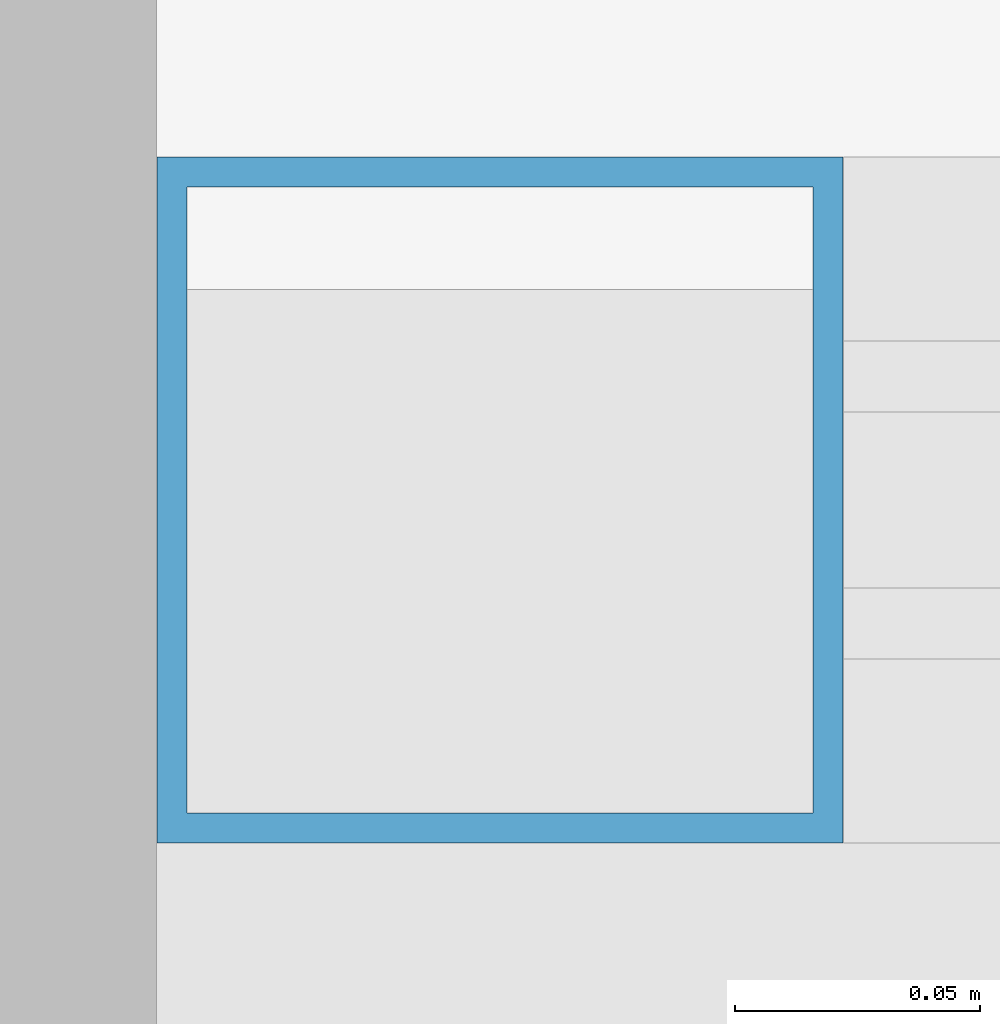
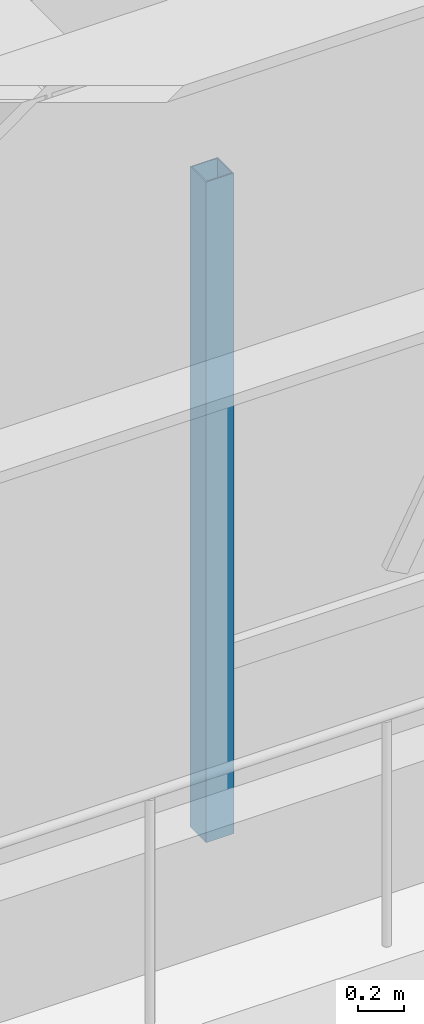
# One storey, part 12 of 38: 1 member, 1 element without a shape of its own.
"""IFC4 building model written with IfcOpenShell, lengths in metres."""

import ifcopenshell
import ifcopenshell.guid

model = None  # the IFC model being written
_history = None  # IfcOwnerHistory: only IFC2X3 demands one
_inside = {}  # id of a spatial element -> (the spatial element, [elements in it])
_under = {}  # id of a project, library or spatial element -> (it, [spatial elements below it])
_declared = {}  # id of a project -> (the project, [libraries it declares])
_typed = {}  # id of a type object -> (the type object, [elements of that type])
_made_of = {}  # id of a material, layer set ... -> (it, [elements and type objects made of it])


def new_model(schema):
    """Start an empty IFC model of exactly this schema.

    Asked for "IFC4X3", IfcOpenShell would pick the latest addendum, in which some entities
    have other attributes; the version numbers below select the first issue.
    IFC2X3 requires an IfcOwnerHistory on every rooted entity: one is made here for all.
    """
    global model, _history
    if schema == "IFC4X3":
        model = ifcopenshell.file(schema_version=(4, 3, 0, 0))
    else:
        model = ifcopenshell.file(schema=schema)
    _inside.clear()
    _under.clear()
    _declared.clear()
    _typed.clear()
    _made_of.clear()
    _history = None
    if model.schema == "IFC2X3":
        org = make("IfcOrganization", Name="unknown")
        user = make(
            "IfcPersonAndOrganization",
            ThePerson=make("IfcPerson", FamilyName="unknown"),
            TheOrganization=org,
        )
        app = make(
            "IfcApplication",
            ApplicationDeveloper=org,
            Version="unknown",
            ApplicationFullName="unknown",
            ApplicationIdentifier="unknown",
        )
        _history = make(
            "IfcOwnerHistory",
            OwningUser=user,
            OwningApplication=app,
            ChangeAction="ADDED",
            CreationDate=0,
        )
    return model


def make(cls, **values):
    """One entity of the class cls with the attributes given. An attribute that is None is left unset."""
    return model.create_entity(
        cls, **{name: value for name, value in values.items() if value is not None}
    )


def rooted(cls, **values):
    """An entity with a GlobalId (a new one), such as an element, a storey or a relation."""
    return make(cls, GlobalId=ifcopenshell.guid.new(), OwnerHistory=_history, **values)


def si_unit(unit_type, name, prefix=None):
    """IfcSIUnit, for example si_unit("LENGTHUNIT", "METRE", prefix="MILLI")."""
    return make("IfcSIUnit", UnitType=unit_type, Prefix=prefix, Name=name)


def assignment(units):
    """IfcUnitAssignment: the units of a project."""
    return None if units is None else make("IfcUnitAssignment", Units=units)


def point(xyz):
    """IfcCartesianPoint."""
    return None if xyz is None else make("IfcCartesianPoint", Coordinates=xyz)


def direction(xyz):
    """IfcDirection."""
    return None if xyz is None else make("IfcDirection", DirectionRatios=xyz)


def frame(location, z_axis=None, x_axis=None):
    """IfcAxis2Placement3D, a coordinate frame: its origin and axes. An axis left out is left unset."""
    return make(
        "IfcAxis2Placement3D",
        Location=point(location),
        Axis=direction(z_axis),
        RefDirection=direction(x_axis),
    )


def frame_2d(location, x_axis=None):
    """IfcAxis2Placement2D, a coordinate frame in the plane: its origin and x axis."""
    return make(
        "IfcAxis2Placement2D", Location=point(location), RefDirection=direction(x_axis)
    )


def origin():
    """The frame at (0, 0, 0) with its axes left unset."""
    return frame((0.0, 0.0, 0.0))


def origin_2d():
    """The frame at (0, 0) in the plane with its x axis left unset."""
    return frame_2d((0.0, 0.0))


def place(relative_to, where):
    """IfcLocalPlacement: puts the frame where relative to a parent placement (None: the world)."""
    return make(
        "IfcLocalPlacement", PlacementRelTo=relative_to, RelativePlacement=where
    )


def context(
    kind, dimensions, precision=None, world=None, true_north=None, identifier=None
):
    """IfcGeometricRepresentationContext, for example the 3D "Model" context."""
    return make(
        "IfcGeometricRepresentationContext",
        ContextIdentifier=identifier,
        ContextType=kind,
        CoordinateSpaceDimension=dimensions,
        Precision=precision,
        WorldCoordinateSystem=world,
        TrueNorth=true_north,
    )


def subcontext(parent, identifier, kind, view, scale=None):
    """IfcGeometricRepresentationSubContext, for example "Body" below "Model"."""
    return make(
        "IfcGeometricRepresentationSubContext",
        ContextIdentifier=identifier,
        ContextType=kind,
        ParentContext=parent,
        TargetScale=scale,
        TargetView=view,
    )


def project(units=None, contexts=None):
    """IfcProject with its units and contexts."""
    return rooted(
        "IfcProject",
        Name="project",
        RepresentationContexts=contexts,
        UnitsInContext=assignment(units),
    )


def spatial(cls, under=None, at=None, **own):
    """A site, building, storey or space (cls), placed at a placement, below another one or the project."""
    s = rooted(cls, ObjectPlacement=at, **own)
    if under is not None:
        _under.setdefault(under.id(), (under, []))[1].append(s)
    return s


def profile(cls, at=None, kind="AREA", **sizes):
    """A parametric profile (cls). Its sizes go by their IFC names, for example OverallWidth=200.0."""
    return make(cls, ProfileType=kind, Position=at, **sizes)


def hollow_rectangle(**sizes):
    """IfcRectangleHollowProfileDef."""
    return profile("IfcRectangleHollowProfileDef", **sizes)


def extrude(swept, where, along, depth):
    """IfcExtrudedAreaSolid: the profile swept, set in the frame where, extruded along a direction by depth."""
    return make(
        "IfcExtrudedAreaSolid",
        SweptArea=swept,
        Position=where,
        ExtrudedDirection=direction(along),
        Depth=depth,
    )


def shape(context_of_items, identifier, shape_type, items):
    """IfcShapeRepresentation: the items that make up one representation, for example the "Body"."""
    return make(
        "IfcShapeRepresentation",
        ContextOfItems=context_of_items,
        RepresentationIdentifier=identifier,
        RepresentationType=shape_type,
        Items=items,
    )


def source(mapping_origin, context_of_items, identifier, shape_type, items):
    """IfcRepresentationMap: a shape defined once, which mapped items show again and again."""
    return make(
        "IfcRepresentationMap",
        MappingOrigin=mapping_origin,
        MappedRepresentation=shape(context_of_items, identifier, shape_type, items),
    )


def transform(
    local_origin,
    x_axis=None,
    y_axis=None,
    z_axis=None,
    scale=None,
    scale2=None,
    scale3=None,
    uniform=True,
):
    """IfcCartesianTransformationOperator3D, or its non-uniform kind. x_axis, y_axis, z_axis: its Axis1, 2, 3."""
    if uniform:
        return make(
            "IfcCartesianTransformationOperator3D",
            Axis1=direction(x_axis),
            Axis2=direction(y_axis),
            LocalOrigin=point(local_origin),
            Scale=scale,
            Axis3=direction(z_axis),
        )
    return make(
        "IfcCartesianTransformationOperator3DnonUniform",
        Axis1=direction(x_axis),
        Axis2=direction(y_axis),
        LocalOrigin=point(local_origin),
        Scale=scale,
        Axis3=direction(z_axis),
        Scale2=scale2,
        Scale3=scale3,
    )


def mapped(mapping_source, mapping_target):
    """IfcMappedItem: shows the shape of a source again, moved by a transform."""
    return make(
        "IfcMappedItem", MappingSource=mapping_source, MappingTarget=mapping_target
    )


def material(Name=None, Category=None):
    """IfcMaterial."""
    return make("IfcMaterial", Name=Name, Category=Category)


def material_profile(
    of_material, cross_section, Name=None, Category=None, Priority=None
):
    """IfcMaterialProfile: a cross section and its material."""
    return make(
        "IfcMaterialProfile",
        Name=Name,
        Material=of_material,
        Profile=cross_section,
        Priority=Priority,
        Category=Category,
    )


def profile_set(profiles, Name=None, composite=None):
    """IfcMaterialProfileSet."""
    return make(
        "IfcMaterialProfileSet",
        Name=Name,
        MaterialProfiles=profiles,
        CompositeProfile=composite,
    )


def made_of(thing, what):
    """Note that an element or type object is made of a material, layer set ...; save() writes the relation."""
    if what is not None:
        _made_of.setdefault(what.id(), (what, []))[1].append(thing)
    return thing


def type_object(cls, material=None, **own):
    """A type object (cls), such as IfcWallType, which elements share."""
    return made_of(rooted(cls, **own), material)


def element(
    cls,
    number,
    at=None,
    inside=None,
    cuts=None,
    type_object=None,
    material=None,
    context=None,
    identifier="Body",
    shape_type=None,
    held_by="IfcProductDefinitionShape",
    body=None,
    shapes=None,
    **own,
):
    """One element of the class cls, such as IfcWall. Its Tag is "e" and its number.

    at: its placement. inside: the storey or other place that contains it. cuts: it is an
    opening in that element (IfcRelVoidsElement). A single representation is given by context,
    identifier, shape_type and body (its items); several are given by shapes. held_by: the class
    of the entity that holds the representations. save() writes the other relations.
    """
    e = rooted(cls, Tag="e%d" % number, ObjectPlacement=at, **own)
    if body is not None:
        shapes = [shape(context, identifier, shape_type, body)]
    if shapes is not None:
        e.Representation = make(held_by, Representations=shapes)
    if inside is not None:
        _inside.setdefault(inside.id(), (inside, []))[1].append(e)
    if cuts is not None:
        rooted(
            "IfcRelVoidsElement", RelatingBuildingElement=cuts, RelatedOpeningElement=e
        )
    if type_object is not None:
        _typed.setdefault(type_object.id(), (type_object, []))[1].append(e)
    return made_of(e, material)


def aggregate(whole, parts):
    """IfcRelAggregates: a whole, such as a stair, and the parts it consists of."""
    return rooted("IfcRelAggregates", RelatingObject=whole, RelatedObjects=parts)


def save(model, path):
    """Write the relations noted so far, then the file.

    IfcRelAggregates (storeys below a building ...), IfcRelContainedInSpatialStructure (elements
    in a storey), IfcRelDefinesByType, IfcRelAssociatesMaterial and IfcRelDeclares: one each for
    every whole, place, type object, material and project.
    """
    for whole, parts in _under.values():
        aggregate(whole, parts)
    for where, things in _inside.values():
        rooted(
            "IfcRelContainedInSpatialStructure",
            RelatedElements=things,
            RelatingStructure=where,
        )
    for kind, things in _typed.values():
        rooted("IfcRelDefinesByType", RelatedObjects=things, RelatingType=kind)
    for what, things in _made_of.values():
        rooted("IfcRelAssociatesMaterial", RelatedObjects=things, RelatingMaterial=what)
    for by, libraries in _declared.values():
        rooted("IfcRelDeclares", RelatingContext=by, RelatedDefinitions=libraries)
    model.write(path)


model = new_model("IFC4")

# Units and contexts
model_context = context("Model", 3, precision=1e-05, world=origin(), true_north=direction((0.0, 1.0)))
body_context = subcontext(model_context, "Body", "Model", "MODEL_VIEW")
ifc_project = project(units=[si_unit("LENGTHUNIT", "METRE"), si_unit("AREAUNIT", "SQUARE_METRE"), si_unit("VOLUMEUNIT", "CUBIC_METRE"), si_unit("PLANEANGLEUNIT", "RADIAN"), si_unit("MASSUNIT", "GRAM", prefix="KILO")], contexts=[model_context])

# Site, building, storey
site_placement = place(None, origin())
site = spatial("IfcSite", under=ifc_project, at=site_placement, CompositionType="ELEMENT")
building_placement = place(site_placement, origin())
building = spatial("IfcBuilding", under=site, at=building_placement, Name="Khorayat Bourse Tower", CompositionType="ELEMENT")
storey_placement = place(building_placement, frame((0.0, 0.0, 17.39990234375)))
storey = spatial("IfcBuildingStorey", under=building, at=storey_placement, Name="L03", CompositionType="ELEMENT", Elevation=17.39990234375)

# Curtain wall, member
ifc_material = material(Name="Aluminium EN AW-6063 T6", Category="aluminium")
curtain_wall_type = type_object("IfcCurtainWallType", Name="CW-SYS-01", PredefinedType="NOTDEFINED", material=ifc_material)
curtain_wall_placement = place(storey_placement, origin())
curtain_wall = element("IfcCurtainWall", 1, at=curtain_wall_placement, inside=storey, type_object=curtain_wall_type, Name="L03 Curtain Wall CW-L03-SE", PredefinedType="NOTDEFINED")
ifc_material_profile = material_profile(ifc_material, hollow_rectangle(XDim=0.139892578125, YDim=0.139892578125, WallThickness=0.006103515625, at=origin_2d()), Name="ALU 140x140x6")
ifc_profile_set = profile_set([ifc_material_profile], Name="Aluminium EN AW-6063 T6")
member_type = type_object("IfcMemberType", Name="CWM-VERT-140", PredefinedType="MULLION", material=ifc_profile_set)
shared_shape = source(origin(), body_context, "Body", "SweptSolid", [
    extrude(hollow_rectangle(XDim=0.139892578125, YDim=0.139892578125, WallThickness=0.006103515625, at=origin_2d()), origin(), (0.0, 0.0, 1.0), 3.530029296875),
])
member_placement = place(storey_placement, frame((0.969970703125, -34.742919921875, 0.0), z_axis=(0.0, 0.0, 1.0), x_axis=(0.0, 1.0, 0.0)))
member = element("IfcMember", 2, at=member_placement, type_object=member_type, Name="CW-L03-SE Vertical Mullion 1", PredefinedType="MULLION", context=body_context, shape_type="MappedRepresentation", body=[
    mapped(shared_shape, transform((0.0, 0.0, 0.0), scale=1.0)),
])
aggregate(curtain_wall, [member])

save(model, "model.ifc")
